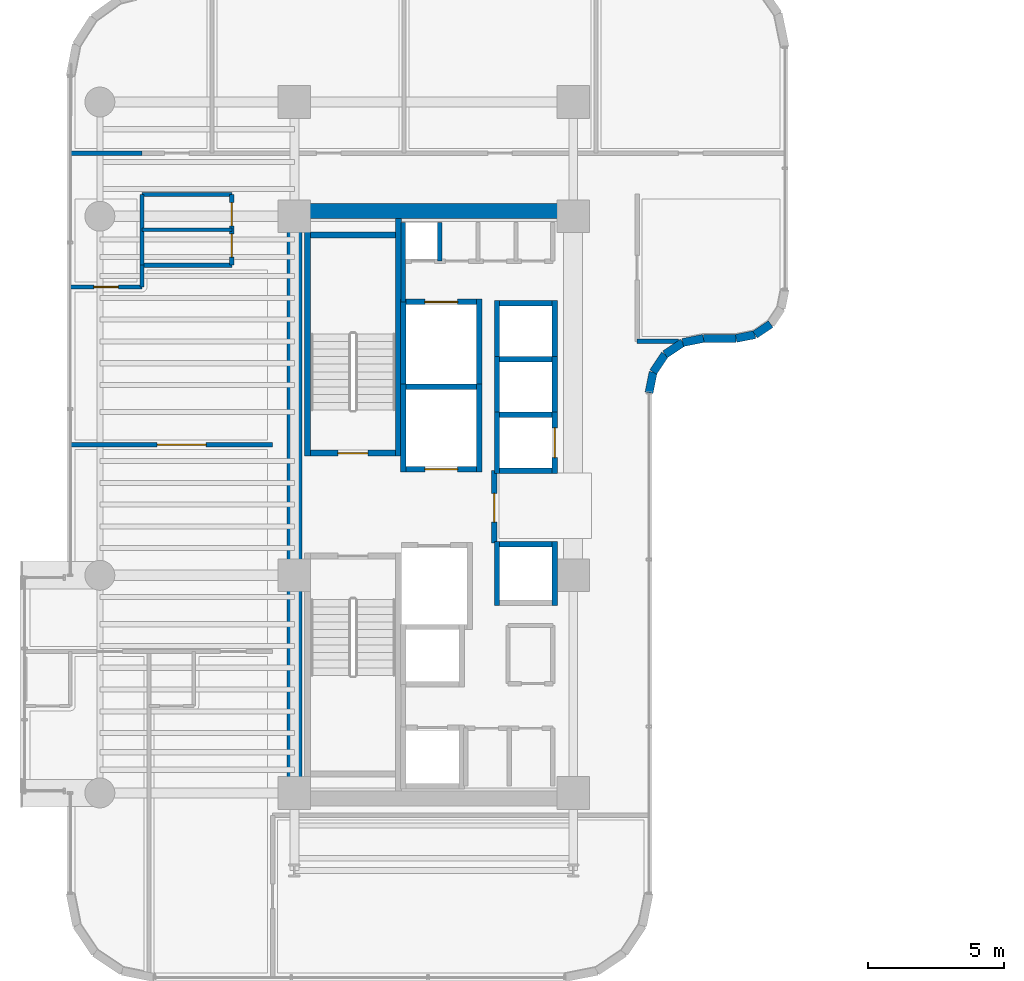
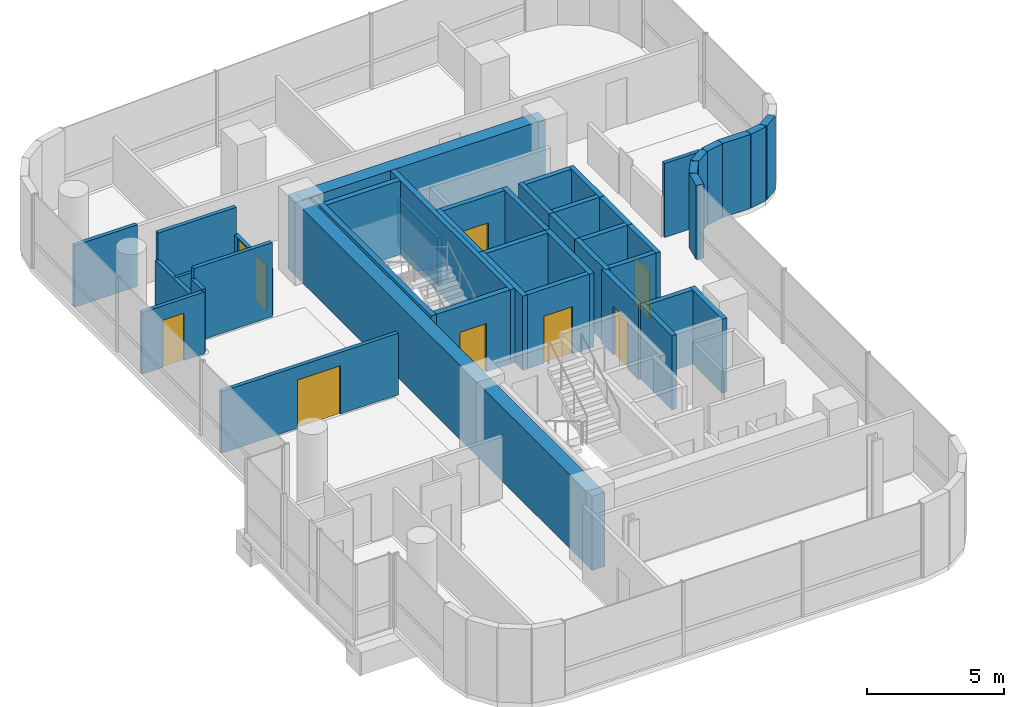
# One storey, part 28 of 35: 46 walls, 9 doors, 9 openings.
"""IFC4 building model written with IfcOpenShell, lengths in metres."""

from ifc_helpers import new_model, si_unit, direction, frame, frame_2d, origin, place, context, subcontext, project, spatial, rectangle, extrude, material, layer, layer_set, type_object, element, fill, save


model = new_model("IFC4")

# Units and contexts
model_context = context("Model", 3, precision=1e-05, world=origin(), true_north=direction((0.0, 1.0)))
body_context = subcontext(model_context, "Body", "Model", "MODEL_VIEW")
ifc_project = project(units=[si_unit("LENGTHUNIT", "METRE"), si_unit("AREAUNIT", "SQUARE_METRE"), si_unit("VOLUMEUNIT", "CUBIC_METRE"), si_unit("PLANEANGLEUNIT", "RADIAN"), si_unit("MASSUNIT", "GRAM", prefix="KILO")], contexts=[model_context])

# Site, building, storey
site_placement = place(None, origin())
site = spatial("IfcSite", under=ifc_project, at=site_placement, CompositionType="ELEMENT")
building_placement = place(site_placement, origin())
building = spatial("IfcBuilding", under=site, at=building_placement, Name="Valdorenza Pilgrim Sanctuary Tower", CompositionType="ELEMENT")
storey_placement = place(building_placement, frame((0.0, 0.0, 168.60009765625)))
storey = spatial("IfcBuildingStorey", under=building, at=storey_placement, Name="L43", CompositionType="ELEMENT", Elevation=168.60009765625)

# Walls
ifc_material_1 = material(Name="Acoustic twin-stud gypsum partition", Category="gypsum")
ifc_layer_1 = layer(ifc_material_1, 0.159912109375, Name="Acoustic twin-stud gypsum partition")
ifc_layer_set_1 = layer_set([ifc_layer_1], Name="Acoustic twin-stud gypsum partition")
wall_type_1 = type_object("IfcWallType", Name="WAL-COR-160", PredefinedType="PARTITIONING", material=ifc_layer_set_1)
wall_1_placement = place(storey_placement, frame((-18.64990234375, 7.449951171875, 0.0), z_axis=(0.0, 0.0, 1.0), x_axis=(0.0, 1.0, 0.0)))
element("IfcWall", 1, at=wall_1_placement, inside=storey, type_object=wall_type_1, Name="L43 Core A North Service West Wall", PredefinedType="PARTITIONING", context=body_context, shape_type="SweptSolid", body=[
    extrude(rectangle(XDim=2.929931640625, YDim=0.159912109375, at=frame_2d((1.46484375, 0.0))), origin(), (0.0, 0.0, 1.0), 2.0849609375),
])
wall_2_placement = place(storey_placement, frame((-17.300048828125, 8.949951171875, 0.0), z_axis=(0.0, 0.0, 1.0), x_axis=(0.0, 1.0, 0.0)))
element("IfcWall", 2, at=wall_2_placement, inside=storey, type_object=wall_type_1, Name="L43 Core Electrical Riser Wall", PredefinedType="PARTITIONING", context=body_context, shape_type="SweptSolid", body=[
    extrude(rectangle(XDim=1.429931640625, YDim=0.159912109375, at=frame_2d((0.71484375, 0.0))), origin(), (0.0, 0.0, 1.0), 2.0849609375),
])
wall_3_placement = place(storey_placement, frame((-28.25, 8.800048828125, 0.0), z_axis=(0.0, 0.0, 1.0), x_axis=(0.0, 1.0, 0.0)))
element("IfcWall", 3, at=wall_3_placement, inside=storey, type_object=wall_type_1, Name="L43 Washroom West Wall", PredefinedType="PARTITIONING", context=body_context, shape_type="SweptSolid", body=[
    extrude(rectangle(XDim=2.599853515625, YDim=0.159912109375, at=frame_2d((1.2998046875, 0.0))), origin(), (0.0, 0.0, 1.0), 2.0849609375),
])

# Wall, openings, doors
wall_4_placement = place(storey_placement, frame((-24.949951171875, 8.800048828125, 0.0), z_axis=(0.0, 0.0, 1.0), x_axis=(0.0, 1.0, 0.0)))
wall_4 = element("IfcWall", 4, at=wall_4_placement, inside=storey, type_object=wall_type_1, Name="L43 Washroom East Wall", PredefinedType="PARTITIONING", context=body_context, shape_type="SweptSolid", body=[
    extrude(rectangle(XDim=2.599853515625, YDim=0.159912109375, at=frame_2d((1.2998046875, 0.0))), origin(), (0.0, 0.0, 1.0), 2.0849609375),
])
opening_1_placement = place(wall_4_placement, frame((0.300048828125, 0.0, 0.0)))
opening_1 = element("IfcOpeningElement", 5, at=opening_1_placement, cuts=wall_4, Name="Opening DR-WC2", PredefinedType="OPENING", context=body_context, shape_type="SweptSolid", body=[
    extrude(rectangle(XDim=0.85009765625, YDim=2.0400390625, at=frame_2d((0.425048828125, 1.02001953125))), frame((0.0, 0.0947265625, 0.0), z_axis=(0.0, -1.0, 0.0), x_axis=(1.0, 0.0, 0.0)), (0.0, 0.0, 1.0), 0.189697265625),
])
opening_2_placement = place(wall_4_placement, frame((1.449951171875, 0.0, 0.0)))
opening_2 = element("IfcOpeningElement", 6, at=opening_2_placement, cuts=wall_4, Name="Opening DR-WC2", PredefinedType="OPENING", context=body_context, shape_type="SweptSolid", body=[
    extrude(rectangle(XDim=0.85009765625, YDim=2.0400390625, at=frame_2d((0.425048828125, 1.02001953125))), frame((0.0, 0.0947265625, 0.0), z_axis=(0.0, -1.0, 0.0), x_axis=(1.0, 0.0, 0.0)), (0.0, 0.0, 1.0), 0.189697265625),
])
ifc_material_2 = material(Name="Moisture-resistant lacquered timber", Category="wood")
door_type_1 = type_object("IfcDoorType", Name="DR-BATH-850L", OperationType="NOTDEFINED", PredefinedType="DOOR", material=ifc_material_2)
door_1_placement = place(opening_1_placement, origin())
door_1 = element("IfcDoor", 7, at=door_1_placement, inside=storey, type_object=door_type_1, Name="L43 Accessible Washroom Door", OperationType="SINGLE_SWING_RIGHT", OverallHeight=2.0400390625, OverallWidth=0.85009765625, PredefinedType="DOOR", context=body_context, shape_type="SweptSolid", body=[
    extrude(rectangle(XDim=0.85009765625, YDim=2.0400390625, at=frame_2d((0.425048828125, 1.02001953125))), frame((0.0, 0.02490234375, 0.0), z_axis=(0.0, -1.0, 0.0), x_axis=(1.0, 0.0, 0.0)), (0.0, 0.0, 1.0), 0.050048828125),
])
fill(opening_1, door_1)
door_2_placement = place(opening_2_placement, origin())
door_2 = element("IfcDoor", 8, at=door_2_placement, inside=storey, type_object=door_type_1, Name="L43 Public Washroom Door", OperationType="SINGLE_SWING_LEFT", OverallHeight=2.0400390625, OverallWidth=0.85009765625, PredefinedType="DOOR", context=body_context, shape_type="SweptSolid", body=[
    extrude(rectangle(XDim=0.85009765625, YDim=2.0400390625, at=frame_2d((0.425048828125, 1.02001953125))), frame((0.0, 0.02490234375, 0.0), z_axis=(0.0, -1.0, 0.0), x_axis=(1.0, 0.0, 0.0)), (0.0, 0.0, 1.0), 0.050048828125),
])
fill(opening_2, door_2)

# Walls
for number, where, z_axis, x_axis, name in (
    (9, (-28.25, 8.800048828125, 0.0), (0.0, 0.0, 1.0), (1.0, 0.0, 0.0), "L43 Washroom South Wall"),
    (10, (-28.25, 11.39990234375, 0.0), (0.0, 0.0, 1.0), (1.0, 0.0, 0.0), "L43 Washroom North Wall"),
):
    element("IfcWall", number, at=place(storey_placement, frame(where, z_axis=z_axis, x_axis=x_axis)), inside=storey, type_object=wall_type_1, Name=name, PredefinedType="PARTITIONING", context=body_context, shape_type="SweptSolid", body=[
        extrude(rectangle(XDim=3.300048828125, YDim=0.159912109375, at=frame_2d((1.64990234375, 0.0))), origin(), (0.0, 0.0, 1.0), 3.2998046875),
    ])

# Wall, opening, door
wall_5_placement = place(storey_placement, frame((-30.889892578125, 8.0, 0.0), z_axis=(0.0, 0.0, 1.0), x_axis=(1.0, 0.0, 0.0)))
wall_5 = element("IfcWall", 11, at=wall_5_placement, inside=storey, type_object=wall_type_1, Name="L43 Cloister North Room Wall", PredefinedType="PARTITIONING", context=body_context, shape_type="SweptSolid", body=[
    extrude(rectangle(XDim=2.639892578125, YDim=0.159912109375, at=frame_2d((1.31982421875, 0.0))), origin(), (0.0, 0.0, 1.0), 2.745849609375),
])
opening_3_placement = place(wall_5_placement, frame((0.8701171875, 0.0, 0.0)))
opening_3 = element("IfcOpeningElement", 12, at=opening_3_placement, cuts=wall_5, Name="Opening DR-RM1", PredefinedType="OPENING", context=body_context, shape_type="SweptSolid", body=[
    extrude(rectangle(XDim=0.89990234375, YDim=2.10009765625, at=frame_2d((0.449951171875, 1.050048828125))), frame((0.0, 0.0947265625, 0.0), z_axis=(0.0, -1.0, 0.0), x_axis=(1.0, 0.0, 0.0)), (0.0, 0.0, 1.0), 0.189697265625),
])
ifc_material_3 = material(Name="Solid-core European oak timber", Category="wood")
door_type_2 = type_object("IfcDoorType", Name="DR-ROOM-900", OperationType="NOTDEFINED", PredefinedType="DOOR", material=ifc_material_3)
door_3_placement = place(opening_3_placement, origin())
door_3 = element("IfcDoor", 13, at=door_3_placement, inside=storey, type_object=door_type_2, Name="L43 Pastoral Scholar Office L43-CN1 Door", OperationType="SINGLE_SWING_RIGHT", OverallHeight=2.10009765625, OverallWidth=0.89990234375, PredefinedType="DOOR", context=body_context, shape_type="SweptSolid", body=[
    extrude(rectangle(XDim=0.89990234375, YDim=2.10009765625, at=frame_2d((0.449951171875, 1.050048828125))), frame((0.0, 0.02490234375, 0.0), z_axis=(0.0, -1.0, 0.0), x_axis=(1.0, 0.0, 0.0)), (0.0, 0.0, 1.0), 0.050048828125),
])
fill(opening_3, door_3)

# Wall
wall_6_placement = place(storey_placement, frame((-28.25, 8.0, 0.0), z_axis=(0.0, 0.0, 1.0), x_axis=(0.0, 1.0, 0.0)))
element("IfcWall", 14, at=wall_6_placement, inside=storey, type_object=wall_type_1, Name="L43 Cloister NE Closure", PredefinedType="PARTITIONING", context=body_context, shape_type="SweptSolid", body=[
    extrude(rectangle(XDim=0.800048828125, YDim=0.159912109375, at=frame_2d((0.39990234375, 0.0))), origin(), (0.0, 0.0, 1.0), 2.827880859375),
])

# Wall, opening, door
wall_7_placement = place(storey_placement, frame((-30.889892578125, 2.199951171875, 0.0), z_axis=(0.0, 0.0, 1.0), x_axis=(1.0, 0.0, 0.0)))
wall_7 = element("IfcWall", 15, at=wall_7_placement, inside=storey, type_object=wall_type_1, Name="L43 Cloister Mid Wall 2", PredefinedType="PARTITIONING", context=body_context, shape_type="SweptSolid", body=[
    extrude(rectangle(XDim=7.43994140625, YDim=0.159912109375, at=frame_2d((3.719970703125, 0.0))), origin(), (0.0, 0.0, 1.0), 2.745849609375),
])
opening_4_placement = place(wall_7_placement, frame((3.199951171875, 0.0, 0.0)))
opening_4 = element("IfcOpeningElement", 16, at=opening_4_placement, cuts=wall_7, Name="Opening DR-HL1", PredefinedType="OPENING", context=body_context, shape_type="SweptSolid", body=[
    extrude(rectangle(XDim=1.800048828125, YDim=2.14990234375, at=frame_2d((0.89990234375, 1.074951171875))), frame((0.0, 0.0947265625, 0.0), z_axis=(0.0, -1.0, 0.0), x_axis=(1.0, 0.0, 0.0)), (0.0, 0.0, 1.0), 0.189697265625),
])
ifc_material_4 = material(Name="Acoustic oak and vision-glass double door", Category="glass")
door_type_3 = type_object("IfcDoorType", Name="DR-HALL-1800", OperationType="NOTDEFINED", PredefinedType="DOOR", material=ifc_material_4)
door_4_placement = place(opening_4_placement, frame((1.800048828125, 0.0, 0.0), z_axis=(0.0, 0.0, 1.0), x_axis=(-1.0, 0.0, 0.0)))
door_4 = element("IfcDoor", 17, at=door_4_placement, inside=storey, type_object=door_type_3, Name="L43 Cloister Mid Double Door", OperationType="DOUBLE_DOOR_SINGLE_SWING", OverallHeight=2.14990234375, OverallWidth=1.800048828125, PredefinedType="DOOR", context=body_context, shape_type="SweptSolid", body=[
    extrude(rectangle(XDim=1.800048828125, YDim=2.14990234375, at=frame_2d((0.89990234375, 1.074951171875))), frame((0.0, 0.02490234375, 0.0), z_axis=(0.0, -1.0, 0.0), x_axis=(1.0, 0.0, 0.0)), (0.0, 0.0, 1.0), 0.050048828125),
])
fill(opening_4, door_4)

# Walls
wall_8_placement = place(storey_placement, frame((-30.889892578125, 12.919921875, 0.0), z_axis=(0.0, 0.0, 1.0), x_axis=(1.0, 0.0, 0.0)))
element("IfcWall", 18, at=wall_8_placement, inside=storey, type_object=wall_type_1, Name="L43 Cloister North Solid Partition", PredefinedType="PARTITIONING", context=body_context, shape_type="SweptSolid", body=[
    extrude(rectangle(XDim=2.639892578125, YDim=0.159912109375, at=frame_2d((1.31982421875, 0.0))), origin(), (0.0, 0.0, 1.0), 2.745849609375),
])
wall_9_placement = place(storey_placement, frame((-10.050048828125, 6.0, 0.0), z_axis=(0.0, 0.0, 1.0), x_axis=(1.0, 0.0, 0.0)))
element("IfcWall", 19, at=wall_9_placement, inside=storey, type_object=wall_type_1, Name="L43 East Stub South Wall", PredefinedType="PARTITIONING", context=body_context, shape_type="SweptSolid", body=[
    extrude(rectangle(XDim=1.516357421875, YDim=0.159912109375, at=frame_2d((0.75830078125, 0.0))), origin(), (0.0, 0.0, 1.0), 3.2998046875),
])
ifc_material_5 = material(Name="Concrete C50/60", Category="concrete")
ifc_layer_2 = layer(ifc_material_5, 0.550048828125, Name="Concrete C50/60")
ifc_layer_set_2 = layer_set([ifc_layer_2], Name="Concrete C50/60")
wall_type_2 = type_object("IfcWallType", Name="WAL-COR-550", PredefinedType="SHEAR", material=ifc_layer_set_2)
wall_10_placement = place(storey_placement, frame((-22.64990234375, -11.074951171875, 0.0), z_axis=(0.0, 0.0, 1.0), x_axis=(0.0, 1.0, 0.0)))
element("IfcWall", 20, at=wall_10_placement, inside=storey, type_object=wall_type_2, Name="L43 Split Core A Shear Wall W", PredefinedType="SHEAR", context=body_context, shape_type="SweptSolid", body=[
    extrude(rectangle(XDim=22.14990234375, YDim=0.550048828125, at=frame_2d((11.074951171875, 0.0))), origin(), (0.0, 0.0, 1.0), 3.2998046875),
])
wall_11_placement = place(storey_placement, frame((-22.64990234375, 10.800048828125, 0.0), z_axis=(0.0, 0.0, 1.0), x_axis=(1.0, 0.0, 0.0)))
element("IfcWall", 21, at=wall_11_placement, inside=storey, type_object=wall_type_2, Name="L43 Split Core A Shear Wall N", PredefinedType="SHEAR", context=body_context, shape_type="SweptSolid", body=[
    extrude(rectangle(XDim=10.25, YDim=0.550048828125, at=frame_2d((5.125, 0.0))), origin(), (0.0, 0.0, 1.0), 3.2998046875),
])
ifc_material_6 = material(Name="Honed travertine limestone", Category="masonry")
ifc_layer_3 = layer(ifc_material_6, 0.300048828125, Name="Honed travertine limestone")
ifc_layer_set_3 = layer_set([ifc_layer_3], Name="Honed travertine limestone")
wall_type_3 = type_object("IfcWallType", Name="WAL-EXT-300", PredefinedType="SOLIDWALL", material=ifc_layer_set_3)
wall_12_placement = place(storey_placement, frame((-5.1357421875, 6.6357421875, 0.0), z_axis=(0.0, 0.0, 1.0), x_axis=(-0.831565381614, -0.555426877366, 0.0)))
element("IfcWall", 22, at=wall_12_placement, inside=storey, type_object=wall_type_3, Name="L43 Rounded Wind-Corner Stone Pier 14", PredefinedType="SOLIDWALL", context=body_context, shape_type="SweptSolid", body=[
    extrude(rectangle(XDim=0.697509765625, YDim=0.300048828125, at=frame_2d((0.3486328125, 0.0))), origin(), (0.0, 0.0, 1.0), 3.2998046875),
])
wall_13_placement = place(storey_placement, frame((-5.7158203125, 6.248291015625, 0.0), z_axis=(0.0, 0.0, 1.0), x_axis=(-0.980805282058, -0.194989739953, 0.0)))
element("IfcWall", 23, at=wall_13_placement, inside=storey, type_object=wall_type_3, Name="L43 Rounded Wind-Corner Stone Pier 15", PredefinedType="SOLIDWALL", context=body_context, shape_type="SweptSolid", body=[
    extrude(rectangle(XDim=0.708740234375, YDim=0.300048828125, at=frame_2d((0.3544921875, 0.0))), origin(), (0.0, 0.0, 1.0), 3.2998046875),
])
wall_14_placement = place(storey_placement, frame((-6.410888671875, 6.110107421875, 0.0), z_axis=(0.0, 0.0, 1.0), x_axis=(-1.0, 0.0, 0.0)))
element("IfcWall", 24, at=wall_14_placement, inside=storey, type_object=wall_type_3, Name="L43 Rounded Wind-Corner Stone Pier 16", PredefinedType="SOLIDWALL", context=body_context, shape_type="SweptSolid", body=[
    extrude(rectangle(XDim=1.199951171875, YDim=0.300048828125, at=frame_2d((0.60009765625, 0.0))), origin(), (0.0, 0.0, 1.0), 3.2998046875),
])
wall_15_placement = place(storey_placement, frame((-7.61083984375, 6.110107421875, 0.0), z_axis=(0.0, 0.0, 1.0), x_axis=(-0.98076219082, -0.195206365311, 0.0)))
element("IfcWall", 25, at=wall_15_placement, inside=storey, type_object=wall_type_3, Name="L43 Rounded Wind-Corner Stone Pier 17", PredefinedType="SOLIDWALL", context=body_context, shape_type="SweptSolid", body=[
    extrude(rectangle(XDim=0.774169921875, YDim=0.300048828125, at=frame_2d((0.38720703125, 0.0))), origin(), (0.0, 0.0, 1.0), 3.2998046875),
])
for number, where, z_axis, x_axis, name in (
    (26, (-8.3701171875, 5.958984375, 0.0), (0.0, 0.0, 1.0), (-0.831331880615, -0.555776307766, 0.0), "L43 Rounded Wind-Corner Stone Pier 18"),
    (27, (-9.022705078125, 5.522705078125, 0.0), (0.0, 0.0, 1.0), (-0.555776307766, -0.831331880615, 0.0), "L43 Rounded Wind-Corner Stone Pier 19"),
):
    element("IfcWall", number, at=place(storey_placement, frame(where, z_axis=z_axis, x_axis=x_axis)), inside=storey, type_object=wall_type_3, Name=name, PredefinedType="SOLIDWALL", context=body_context, shape_type="SweptSolid", body=[
        extrude(rectangle(XDim=0.784912109375, YDim=0.300048828125, at=frame_2d((0.392578125, 0.0))), origin(), (0.0, 0.0, 1.0), 3.2998046875),
    ])
wall_16_placement = place(storey_placement, frame((-9.458984375, 4.8701171875, 0.0), z_axis=(0.0, 0.0, 1.0), x_axis=(-0.195206365311, -0.98076219082, 0.0)))
element("IfcWall", 28, at=wall_16_placement, inside=storey, type_object=wall_type_3, Name="L43 Rounded Wind-Corner Stone Pier 20", PredefinedType="SOLIDWALL", context=body_context, shape_type="SweptSolid", body=[
    extrude(rectangle(XDim=0.774169921875, YDim=0.300048828125, at=frame_2d((0.38720703125, 0.0))), origin(), (0.0, 0.0, 1.0), 3.2998046875),
])

# Wall, opening, door
ifc_material_7 = material(Name="Gypsum shaftwall partition", Category="gypsum")
ifc_layer_4 = layer(ifc_material_7, 0.199951171875, Name="Gypsum shaftwall partition")
ifc_layer_set_4 = layer_set([ifc_layer_4], Name="Gypsum shaftwall partition")
wall_type_4 = type_object("IfcWallType", Name="WAL-FFL-200", PredefinedType="PARTITIONING", material=ifc_layer_set_4)
wall_17_placement = place(storey_placement, frame((-15.300048828125, -1.419921875, 0.0), z_axis=(0.0, 0.0, 1.0), x_axis=(0.0, 1.0, 0.0)))
wall_17 = element("IfcWall", 29, at=wall_17_placement, inside=storey, type_object=wall_type_4, Name="L43 Core A Firefighting Lobby East Wall", PredefinedType="PARTITIONING", context=body_context, shape_type="SweptSolid", body=[
    extrude(rectangle(XDim=2.669921875, YDim=0.199951171875, at=frame_2d((1.3349609375, 0.0))), origin(), (0.0, 0.0, 1.0), 3.2998046875),
])
opening_5_placement = place(wall_17_placement, frame((0.780029296875, 0.0, 0.0)))
opening_5 = element("IfcOpeningElement", 30, at=opening_5_placement, cuts=wall_17, Name="Opening DR-FL1", PredefinedType="OPENING", context=body_context, shape_type="SweptSolid", body=[
    extrude(rectangle(XDim=1.050048828125, YDim=2.14990234375, at=frame_2d((0.52490234375, 1.074951171875))), frame((0.0, 0.11474609375, 0.0), z_axis=(0.0, -1.0, 0.0), x_axis=(1.0, 0.0, 0.0)), (0.0, 0.0, 1.0), 0.229736328125),
])
ifc_material_8 = material(Name="Painted galvanized steel", Category="steel")
door_type_4 = type_object("IfcDoorType", Name="DR-FFL-1050", OperationType="NOTDEFINED", PredefinedType="DOOR", material=ifc_material_8)
door_5_placement = place(opening_5_placement, origin())
door_5 = element("IfcDoor", 31, at=door_5_placement, inside=storey, type_object=door_type_4, Name="L43 Core A Firefighting Lobby Door", OperationType="SINGLE_SWING_RIGHT", OverallHeight=2.14990234375, OverallWidth=1.050048828125, PredefinedType="DOOR", context=body_context, shape_type="SweptSolid", body=[
    extrude(rectangle(XDim=1.050048828125, YDim=2.14990234375, at=frame_2d((0.52490234375, 1.074951171875))), frame((0.0, 0.02490234375, 0.0), z_axis=(0.0, -1.0, 0.0), x_axis=(1.0, 0.0, 0.0)), (0.0, 0.0, 1.0), 0.050048828125),
])
fill(opening_5, door_5)

# Walls
ifc_material_9 = material(Name="Moisture-resistant gypsum partition", Category="gypsum")
ifc_layer_5 = layer(ifc_material_9, 0.1201171875, Name="Moisture-resistant gypsum partition")
ifc_layer_set_5 = layer_set([ifc_layer_5], Name="Moisture-resistant gypsum partition")
wall_type_5 = type_object("IfcWallType", Name="WAL-INT-120", PredefinedType="PARTITIONING", material=ifc_layer_set_5)
wall_18_placement = place(storey_placement, frame((-28.25, 10.10009765625, 0.0), z_axis=(0.0, 0.0, 1.0), x_axis=(1.0, 0.0, 0.0)))
element("IfcWall", 32, at=wall_18_placement, inside=storey, type_object=wall_type_5, Name="L43 Washroom Divider Wall", PredefinedType="PARTITIONING", context=body_context, shape_type="SweptSolid", body=[
    extrude(rectangle(XDim=3.300048828125, YDim=0.1201171875, at=frame_2d((1.64990234375, 0.0))), origin(), (0.0, 0.0, 1.0), 2.0849609375),
])
ifc_material_10 = material(Name="Autoclaved aerated concrete blockwork", Category="masonry")
ifc_layer_6 = layer(ifc_material_10, 0.199951171875, Name="Autoclaved aerated concrete blockwork")
ifc_layer_set_6 = layer_set([ifc_layer_6], Name="Autoclaved aerated concrete blockwork")
wall_type_6 = type_object("IfcWallType", Name="WAL-SHF-200", PredefinedType="MOVABLE", material=ifc_layer_set_6)
for number, where, z_axis, x_axis, name in (
    (33, (-18.64990234375, 1.199951171875, 0.0), (0.0, 0.0, 1.0), (0.0, 1.0, 0.0), "L43 Lift FFL-01 Hoistway Wall West"),
    (34, (-15.85009765625, 1.199951171875, 0.0), (0.0, 0.0, 1.0), (0.0, 1.0, 0.0), "L43 Lift FFL-01 Hoistway Wall East"),
):
    element("IfcWall", number, at=place(storey_placement, frame(where, z_axis=z_axis, x_axis=x_axis)), inside=storey, type_object=wall_type_6, Name=name, PredefinedType="MOVABLE", context=body_context, shape_type="SweptSolid", body=[
        extrude(rectangle(XDim=3.22509765625, YDim=0.199951171875, at=frame_2d((1.612548828125, 0.0))), origin(), (0.0, 0.0, 1.0), 3.2998046875),
    ])

# Wall, opening, door
wall_19_placement = place(storey_placement, frame((-18.550048828125, 1.300048828125, 0.0), z_axis=(0.0, 0.0, 1.0), x_axis=(1.0, 0.0, 0.0)))
wall_19 = element("IfcWall", 35, at=wall_19_placement, inside=storey, type_object=wall_type_6, Name="L43 Lift FFL-01 Hoistway Wall South", PredefinedType="MOVABLE", context=body_context, shape_type="SweptSolid", body=[
    extrude(rectangle(XDim=2.60009765625, YDim=0.199951171875, at=frame_2d((1.300048828125, 0.0))), origin(), (0.0, 0.0, 1.0), 3.2998046875),
])
opening_6_placement = place(wall_19_placement, frame((0.699951171875, 0.0, 0.0)))
opening_6 = element("IfcOpeningElement", 36, at=opening_6_placement, cuts=wall_19, Name="Opening LD-02", PredefinedType="OPENING", context=body_context, shape_type="SweptSolid", body=[
    extrude(rectangle(XDim=1.199951171875, YDim=2.10009765625, at=frame_2d((0.60009765625, 1.050048828125))), frame((0.0, 0.11474609375, 0.0), z_axis=(0.0, -1.0, 0.0), x_axis=(1.0, 0.0, 0.0)), (0.0, 0.0, 1.0), 0.229736328125),
])
ifc_material_11 = material(Name="Brushed stainless steel Grade 316", Category="steel")
door_type_5 = type_object("IfcDoorType", Name="DR-LFT-1200", OperationType="DOUBLE_DOOR_SLIDING", PredefinedType="DOOR", material=ifc_material_11)
door_6_placement = place(opening_6_placement, origin())
door_6 = element("IfcDoor", 37, at=door_6_placement, inside=storey, type_object=door_type_5, Name="L43 Lift FFL-01 Sliding Landing Door", OperationType="DOUBLE_DOOR_SLIDING", OverallHeight=2.10009765625, OverallWidth=1.199951171875, PredefinedType="DOOR", context=body_context, shape_type="SweptSolid", body=[
    extrude(rectangle(XDim=1.199951171875, YDim=2.10009765625, at=frame_2d((0.60009765625, 1.050048828125))), frame((0.0, 0.02490234375, 0.0), z_axis=(0.0, -1.0, 0.0), x_axis=(1.0, 0.0, 0.0)), (0.0, 0.0, 1.0), 0.050048828125),
])
fill(opening_6, door_6)

# Walls
wall_20_placement = place(storey_placement, frame((-18.550048828125, 4.324951171875, 0.0), z_axis=(0.0, 0.0, 1.0), x_axis=(1.0, 0.0, 0.0)))
element("IfcWall", 38, at=wall_20_placement, inside=storey, type_object=wall_type_6, Name="L43 Lift FFL-01 Hoistway Wall North", PredefinedType="MOVABLE", context=body_context, shape_type="SweptSolid", body=[
    extrude(rectangle(XDim=2.60009765625, YDim=0.199951171875, at=frame_2d((1.300048828125, 0.0))), origin(), (0.0, 0.0, 1.0), 3.2998046875),
])
for number, where, z_axis, x_axis, name in (
    (39, (-18.64990234375, 4.22509765625, 0.0), (0.0, 0.0, 1.0), (0.0, 1.0, 0.0), "L43 Lift SVL-01 Hoistway Wall West"),
    (40, (-15.85009765625, 4.22509765625, 0.0), (0.0, 0.0, 1.0), (0.0, 1.0, 0.0), "L43 Lift SVL-01 Hoistway Wall East"),
):
    element("IfcWall", number, at=place(storey_placement, frame(where, z_axis=z_axis, x_axis=x_axis)), inside=storey, type_object=wall_type_6, Name=name, PredefinedType="MOVABLE", context=body_context, shape_type="SweptSolid", body=[
        extrude(rectangle(XDim=3.324951171875, YDim=0.199951171875, at=frame_2d((1.66259765625, 0.0))), origin(), (0.0, 0.0, 1.0), 3.2998046875),
    ])

# Wall, opening, door
wall_21_placement = place(storey_placement, frame((-18.550048828125, 7.449951171875, 0.0), z_axis=(0.0, 0.0, 1.0), x_axis=(1.0, 0.0, 0.0)))
wall_21 = element("IfcWall", 41, at=wall_21_placement, inside=storey, type_object=wall_type_6, Name="L43 Lift SVL-01 Hoistway Wall North", PredefinedType="MOVABLE", context=body_context, shape_type="SweptSolid", body=[
    extrude(rectangle(XDim=2.60009765625, YDim=0.199951171875, at=frame_2d((1.300048828125, 0.0))), origin(), (0.0, 0.0, 1.0), 3.2998046875),
])
opening_7_placement = place(wall_21_placement, frame((0.699951171875, 0.0, 0.0)))
opening_7 = element("IfcOpeningElement", 42, at=opening_7_placement, cuts=wall_21, Name="Opening LD-02", PredefinedType="OPENING", context=body_context, shape_type="SweptSolid", body=[
    extrude(rectangle(XDim=1.199951171875, YDim=2.10009765625, at=frame_2d((0.60009765625, 1.050048828125))), frame((0.0, 0.11474609375, 0.0), z_axis=(0.0, -1.0, 0.0), x_axis=(1.0, 0.0, 0.0)), (0.0, 0.0, 1.0), 0.229736328125),
])
door_7_placement = place(opening_7_placement, origin())
door_7 = element("IfcDoor", 43, at=door_7_placement, inside=storey, type_object=door_type_5, Name="L43 Lift SVL-01 Sliding Landing Door", OperationType="DOUBLE_DOOR_SLIDING", OverallHeight=2.10009765625, OverallWidth=1.199951171875, PredefinedType="DOOR", context=body_context, shape_type="SweptSolid", body=[
    extrude(rectangle(XDim=1.199951171875, YDim=2.10009765625, at=frame_2d((0.60009765625, 1.050048828125))), frame((0.0, 0.02490234375, 0.0), z_axis=(0.0, -1.0, 0.0), x_axis=(1.0, 0.0, 0.0)), (0.0, 0.0, 1.0), 0.050048828125),
])
fill(opening_7, door_7)

# Wall
wall_22_placement = place(storey_placement, frame((-15.199951171875, 1.14990234375, 0.0), z_axis=(0.0, 0.0, 1.0), x_axis=(0.0, 1.0, 0.0)))
element("IfcWall", 44, at=wall_22_placement, inside=storey, type_object=wall_type_6, Name="L43 Lift PL-06 Hoistway Wall West", PredefinedType="MOVABLE", context=body_context, shape_type="SweptSolid", body=[
    extrude(rectangle(XDim=2.25, YDim=0.199951171875, at=frame_2d((1.125, 0.0))), origin(), (0.0, 0.0, 1.0), 3.2998046875),
])

# Wall, opening, door
wall_23_placement = place(storey_placement, frame((-13.080078125, 1.14990234375, 0.0), z_axis=(0.0, 0.0, 1.0), x_axis=(0.0, 1.0, 0.0)))
wall_23 = element("IfcWall", 45, at=wall_23_placement, inside=storey, type_object=wall_type_6, Name="L43 Lift PL-06 Hoistway Wall East", PredefinedType="MOVABLE", context=body_context, shape_type="SweptSolid", body=[
    extrude(rectangle(XDim=2.25, YDim=0.199951171875, at=frame_2d((1.125, 0.0))), origin(), (0.0, 0.0, 1.0), 3.2998046875),
])
opening_8_placement = place(wall_23_placement, frame((0.574951171875, 0.0, 0.0)))
opening_8 = element("IfcOpeningElement", 46, at=opening_8_placement, cuts=wall_23, Name="Opening LD-01", PredefinedType="OPENING", context=body_context, shape_type="SweptSolid", body=[
    extrude(rectangle(XDim=1.10009765625, YDim=2.10009765625, at=frame_2d((0.550048828125, 1.050048828125))), frame((0.0, 0.11474609375, 0.0), z_axis=(0.0, -1.0, 0.0), x_axis=(1.0, 0.0, 0.0)), (0.0, 0.0, 1.0), 0.229736328125),
])
door_type_6 = type_object("IfcDoorType", Name="DR-LFT-1100", OperationType="DOUBLE_DOOR_SLIDING", PredefinedType="DOOR", material=ifc_material_11)
door_8_placement = place(opening_8_placement, origin())
door_8 = element("IfcDoor", 47, at=door_8_placement, inside=storey, type_object=door_type_6, Name="L43 Lift PL-06 Sliding Landing Door", OperationType="DOUBLE_DOOR_SLIDING", OverallHeight=2.10009765625, OverallWidth=1.10009765625, PredefinedType="DOOR", context=body_context, shape_type="SweptSolid", body=[
    extrude(rectangle(XDim=1.10009765625, YDim=2.10009765625, at=frame_2d((0.550048828125, 1.050048828125))), frame((0.0, 0.02490234375, 0.0), z_axis=(0.0, -1.0, 0.0), x_axis=(1.0, 0.0, 0.0)), (0.0, 0.0, 1.0), 0.050048828125),
])
fill(opening_8, door_8)

# Walls
wall_24_placement = place(storey_placement, frame((-15.10009765625, 1.25, 0.0), z_axis=(0.0, 0.0, 1.0), x_axis=(1.0, 0.0, 0.0)))
element("IfcWall", 48, at=wall_24_placement, inside=storey, type_object=wall_type_6, Name="L43 Lift PL-06 Hoistway Wall South", PredefinedType="MOVABLE", context=body_context, shape_type="SweptSolid", body=[
    extrude(rectangle(XDim=1.920166015625, YDim=0.199951171875, at=frame_2d((0.9599609375, 0.0))), origin(), (0.0, 0.0, 1.0), 3.2998046875),
])
for number, where, z_axis, x_axis, name in (
    (49, (-15.199951171875, 3.199951171875, 0.0), (0.0, 0.0, 1.0), (0.0, 1.0, 0.0), "L43 Lift PL-09 Hoistway Wall West"),
    (50, (-13.080078125, 3.199951171875, 0.0), (0.0, 0.0, 1.0), (0.0, 1.0, 0.0), "L43 Lift PL-09 Hoistway Wall East"),
):
    element("IfcWall", number, at=place(storey_placement, frame(where, z_axis=z_axis, x_axis=x_axis)), inside=storey, type_object=wall_type_6, Name=name, PredefinedType="MOVABLE", context=body_context, shape_type="SweptSolid", body=[
        extrude(rectangle(XDim=2.25, YDim=0.199951171875, at=frame_2d((1.125, 0.0))), origin(), (0.0, 0.0, 1.0), 3.2998046875),
    ])
for number, where, z_axis, x_axis, name in (
    (51, (-15.10009765625, 3.300048828125, 0.0), (0.0, 0.0, 1.0), (1.0, 0.0, 0.0), "L43 Lift PL-09 Hoistway Wall South"),
    (52, (-15.10009765625, 5.35009765625, 0.0), (0.0, 0.0, 1.0), (1.0, 0.0, 0.0), "L43 Lift PL-09 Hoistway Wall North"),
):
    element("IfcWall", number, at=place(storey_placement, frame(where, z_axis=z_axis, x_axis=x_axis)), inside=storey, type_object=wall_type_6, Name=name, PredefinedType="MOVABLE", context=body_context, shape_type="SweptSolid", body=[
        extrude(rectangle(XDim=1.920166015625, YDim=0.199951171875, at=frame_2d((0.9599609375, 0.0))), origin(), (0.0, 0.0, 1.0), 3.2998046875),
    ])
for number, where, z_axis, x_axis, name in (
    (53, (-15.199951171875, 5.25, 0.0), (0.0, 0.0, 1.0), (0.0, 1.0, 0.0), "L43 Lift PL-10 Hoistway Wall West"),
    (54, (-13.080078125, 5.25, 0.0), (0.0, 0.0, 1.0), (0.0, 1.0, 0.0), "L43 Lift PL-10 Hoistway Wall East"),
):
    element("IfcWall", number, at=place(storey_placement, frame(where, z_axis=z_axis, x_axis=x_axis)), inside=storey, type_object=wall_type_6, Name=name, PredefinedType="MOVABLE", context=body_context, shape_type="SweptSolid", body=[
        extrude(rectangle(XDim=2.25, YDim=0.199951171875, at=frame_2d((1.125, 0.0))), origin(), (0.0, 0.0, 1.0), 3.2998046875),
    ])
wall_25_placement = place(storey_placement, frame((-15.10009765625, 7.39990234375, 0.0), z_axis=(0.0, 0.0, 1.0), x_axis=(1.0, 0.0, 0.0)))
element("IfcWall", 55, at=wall_25_placement, inside=storey, type_object=wall_type_6, Name="L43 Lift PL-10 Hoistway Wall North", PredefinedType="MOVABLE", context=body_context, shape_type="SweptSolid", body=[
    extrude(rectangle(XDim=1.920166015625, YDim=0.199951171875, at=frame_2d((0.9599609375, 0.0))), origin(), (0.0, 0.0, 1.0), 3.2998046875),
])
for number, where, z_axis, x_axis, name in (
    (56, (-15.199951171875, -3.699951171875, 0.0), (0.0, 0.0, 1.0), (0.0, 1.0, 0.0), "L43 Lift PL-12 Hoistway Wall West"),
    (57, (-13.080078125, -3.699951171875, 0.0), (0.0, 0.0, 1.0), (0.0, 1.0, 0.0), "L43 Lift PL-12 Hoistway Wall East"),
):
    element("IfcWall", number, at=place(storey_placement, frame(where, z_axis=z_axis, x_axis=x_axis)), inside=storey, type_object=wall_type_6, Name=name, PredefinedType="MOVABLE", context=body_context, shape_type="SweptSolid", body=[
        extrude(rectangle(XDim=2.349853515625, YDim=0.199951171875, at=frame_2d((1.1748046875, 0.0))), origin(), (0.0, 0.0, 1.0), 3.2998046875),
    ])
wall_26_placement = place(storey_placement, frame((-15.10009765625, -1.449951171875, 0.0), z_axis=(0.0, 0.0, 1.0), x_axis=(1.0, 0.0, 0.0)))
element("IfcWall", 58, at=wall_26_placement, inside=storey, type_object=wall_type_6, Name="L43 Lift PL-12 Hoistway Wall North", PredefinedType="MOVABLE", context=body_context, shape_type="SweptSolid", body=[
    extrude(rectangle(XDim=1.920166015625, YDim=0.199951171875, at=frame_2d((0.9599609375, 0.0))), origin(), (0.0, 0.0, 1.0), 3.2998046875),
])
ifc_material_12 = material(Name="Concrete C40/50", Category="concrete")
ifc_layer_7 = layer(ifc_material_12, 0.219970703125, Name="Concrete C40/50")
ifc_layer_set_7 = layer_set([ifc_layer_7], Name="Concrete C40/50")
wall_type_7 = type_object("IfcWallType", Name="WAL-STR-SHF-220", PredefinedType="SHEAR", material=ifc_layer_set_7)
for number, where, z_axis, x_axis, name in (
    (59, (-22.159912109375, 1.780029296875, 0.0), (0.0, 0.0, 1.0), (0.0, 1.0, 0.0), "L43 ST-A1 Structural Stairwell Wall W"),
    (60, (-18.830078125, 1.780029296875, 0.0), (0.0, 0.0, 1.0), (0.0, 1.0, 0.0), "L43 ST-A1 Structural Stairwell Wall E"),
):
    element("IfcWall", number, at=place(storey_placement, frame(where, z_axis=z_axis, x_axis=x_axis)), inside=storey, type_object=wall_type_7, Name=name, PredefinedType="SHEAR", context=body_context, shape_type="SweptSolid", body=[
        extrude(rectangle(XDim=8.744873046875, YDim=0.219970703125, at=frame_2d((4.37255859375, 0.0))), origin(), (0.0, 0.0, 1.0), 3.2998046875),
    ])

# Wall, opening, door
wall_27_placement = place(storey_placement, frame((-22.050048828125, 1.889892578125, 0.0), z_axis=(0.0, 0.0, 1.0), x_axis=(1.0, 0.0, 0.0)))
wall_27 = element("IfcWall", 61, at=wall_27_placement, inside=storey, type_object=wall_type_7, Name="L43 ST-A1 Structural Stairwell Wall S", PredefinedType="SHEAR", context=body_context, shape_type="SweptSolid", body=[
    extrude(rectangle(XDim=3.110107421875, YDim=0.219970703125, at=frame_2d((1.55517578125, 0.0))), origin(), (0.0, 0.0, 1.0), 3.2998046875),
])
opening_9_placement = place(wall_27_placement, frame((1.0, 0.0, 0.0)))
opening_9 = element("IfcOpeningElement", 62, at=opening_9_placement, cuts=wall_27, Name="Opening DR-ST1", PredefinedType="OPENING", context=body_context, shape_type="SweptSolid", body=[
    extrude(rectangle(XDim=1.10009765625, YDim=2.14990234375, at=frame_2d((0.550048828125, 1.074951171875))), frame((0.0, 0.125, 0.0), z_axis=(0.0, -1.0, 0.0), x_axis=(1.0, 0.0, 0.0)), (0.0, 0.0, 1.0), 0.249755859375),
])
door_type_7 = type_object("IfcDoorType", Name="DR-STAIR-1100", OperationType="NOTDEFINED", PredefinedType="DOOR", material=ifc_material_8)
door_9_placement = place(opening_9_placement, frame((1.10009765625, 0.0, 0.0), z_axis=(0.0, 0.0, 1.0), x_axis=(-1.0, 0.0, 0.0)))
door_9 = element("IfcDoor", 63, at=door_9_placement, inside=storey, type_object=door_type_7, Name="L43 Exit Stair ST-A1 Door", OperationType="SINGLE_SWING_LEFT", OverallHeight=2.14990234375, OverallWidth=1.10009765625, PredefinedType="DOOR", context=body_context, shape_type="SweptSolid", body=[
    extrude(rectangle(XDim=1.10009765625, YDim=2.14990234375, at=frame_2d((0.550048828125, 1.074951171875))), frame((0.0, 0.02490234375, 0.0), z_axis=(0.0, -1.0, 0.0), x_axis=(1.0, 0.0, 0.0)), (0.0, 0.0, 1.0), 0.050048828125),
])
fill(opening_9, door_9)

# Wall
wall_28_placement = place(storey_placement, frame((-22.050048828125, 9.909912109375, 0.0), z_axis=(0.0, 0.0, 1.0), x_axis=(1.0, 0.0, 0.0)))
element("IfcWall", 64, at=wall_28_placement, inside=storey, type_object=wall_type_7, Name="L43 ST-A1 Structural Stairwell Wall N", PredefinedType="SHEAR", context=body_context, shape_type="SweptSolid", body=[
    extrude(rectangle(XDim=3.110107421875, YDim=0.219970703125, at=frame_2d((1.55517578125, 0.0))), origin(), (0.0, 0.0, 1.0), 3.2998046875),
])

save(model, "model.ifc")
